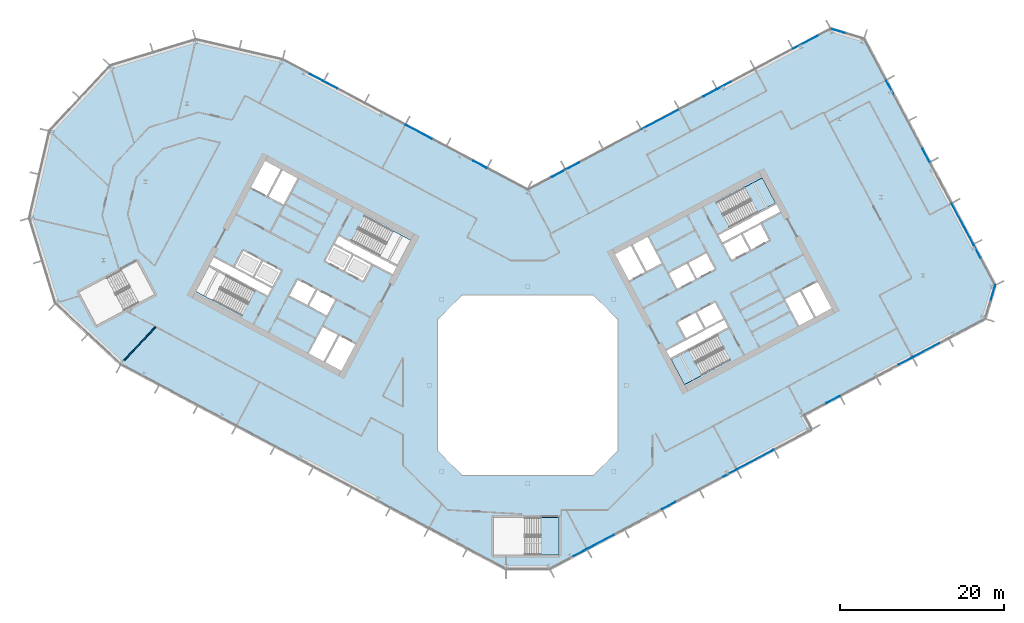
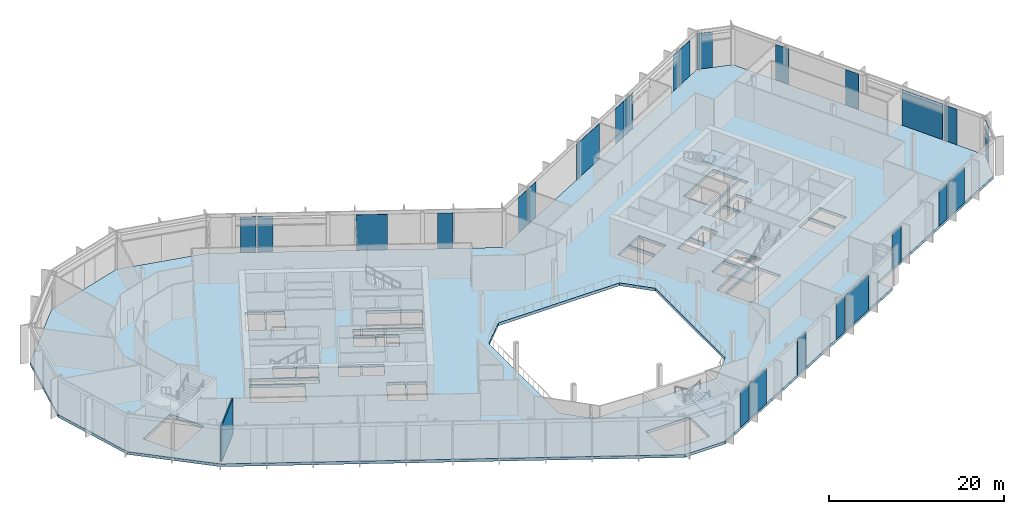
# One storey, part 12 of 31: 24 plates, 4 slabs, 1 wall, 10 elements without a shape of their own.
"""IFC4 building model written with IfcOpenShell, lengths in metres."""

from ifc_helpers import new_model, si_unit, direction, frame, frame_2d, origin, origin_2d, place, context, subcontext, project, spatial, polyline, rectangle, outline, extrude, material, layer, layer_set, type_object, element, aggregate, save


model = new_model("IFC4")

# Units and contexts
model_context = context("Model", 3, precision=1e-05, world=origin(), true_north=direction((0.0, 1.0)))
body_context = subcontext(model_context, "Body", "Model", "MODEL_VIEW")
ifc_project = project(units=[si_unit("LENGTHUNIT", "METRE"), si_unit("AREAUNIT", "SQUARE_METRE"), si_unit("VOLUMEUNIT", "CUBIC_METRE"), si_unit("PLANEANGLEUNIT", "RADIAN"), si_unit("MASSUNIT", "GRAM", prefix="KILO")], contexts=[model_context])

# Site, building, storey
site_placement = place(None, origin())
site = spatial("IfcSite", under=ifc_project, at=site_placement, CompositionType="ELEMENT")
building_placement = place(site_placement, origin())
building = spatial("IfcBuilding", under=site, at=building_placement, Name="Cormorant Relay Tower", CompositionType="ELEMENT")
storey_placement = place(building_placement, frame((0.0, 0.0, 178.199951171875)))
storey = spatial("IfcBuildingStorey", under=building, at=storey_placement, Name="L38", CompositionType="ELEMENT", Elevation=178.199951171875)

# Curtain wall, plates
ifc_material_1 = material(Name="Aluminium 6063-T6 anodised bronze", Category="aluminium")
ifc_layer_1 = layer(ifc_material_1, 0.199951171875)
ifc_layer_set_1 = layer_set([ifc_layer_1], Name="CW1 unitised bronze curtain wall with vertical fins")
curtain_wall_type = type_object("IfcCurtainWallType", Name="CW1 unitised bronze curtain wall with vertical fins", PredefinedType="NOTDEFINED", material=ifc_layer_set_1)
curtain_wall_1_placement = place(storey_placement, origin())
curtain_wall_1 = element("IfcCurtainWall", 1, at=curtain_wall_1_placement, inside=storey, type_object=curtain_wall_type, Name="CW1 curtain wall 2", PredefinedType="NOTDEFINED")
ifc_material_2 = material(Name="Tinted laminated glass", Category="glass")
ifc_layer_2 = layer(ifc_material_2, 0.0400390625)
ifc_layer_set_2 = layer_set([ifc_layer_2], Name="CW1 tinted vision panel 1800 module")
plate_type_1 = type_object("IfcPlateType", Name="CW1 tinted vision panel 1800 module", PredefinedType="CURTAIN_PANEL", material=ifc_layer_set_2)
plate_1_placement = place(storey_placement, frame((6.359130859375, -20.42529296875, 0.0), z_axis=(0.0, 0.0, 1.0), x_axis=(0.882947592859, 0.469471562786, 0.0)))
plate_1 = element("IfcPlate", 2, at=plate_1_placement, type_object=plate_type_1, Name="CW1 panel V01", PredefinedType="CURTAIN_PANEL", context=body_context, shape_type="SweptSolid", body=[
    extrude(rectangle(XDim=1.800048828125, YDim=0.0400390625, at=origin_2d()), origin(), (0.0, 0.0, 1.0), 4.949951171875),
])
plate_2_placement = place(storey_placement, frame((17.20458984375, -14.65869140625, 0.0), z_axis=(0.0, 0.0, 1.0), x_axis=(0.882947592859, 0.469471562786, 0.0)))
plate_2 = element("IfcPlate", 3, at=plate_2_placement, type_object=plate_type_1, Name="CW1 panel V04", PredefinedType="CURTAIN_PANEL", context=body_context, shape_type="SweptSolid", body=[
    extrude(rectangle(XDim=1.800048828125, YDim=0.0400390625, at=origin_2d()), origin(), (0.0, 0.0, 1.0), 4.949951171875),
])
plate_3_placement = place(storey_placement, frame((24.6064453125, -10.72314453125, 0.0), z_axis=(0.0, 0.0, 1.0), x_axis=(0.882947592859, 0.469471562786, 0.0)))
plate_3 = element("IfcPlate", 4, at=plate_3_placement, type_object=plate_type_1, Name="CW1 panel V06", PredefinedType="CURTAIN_PANEL", context=body_context, shape_type="SweptSolid", body=[
    extrude(rectangle(XDim=1.800048828125, YDim=0.0400390625, at=origin_2d()), origin(), (0.0, 0.0, 1.0), 4.949951171875),
])

curtain_wall_2_placement = place(storey_placement, origin())
curtain_wall_2 = element("IfcCurtainWall", 5, at=curtain_wall_2_placement, inside=storey, type_object=curtain_wall_type, Name="CW1 curtain wall 4", PredefinedType="NOTDEFINED")
plate_4_placement = place(storey_placement, frame((37.205810546875, -1.7587890625, 0.0), z_axis=(0.0, 0.0, 1.0), x_axis=(0.882947592859, 0.469471562786, 0.0)))
plate_4 = element("IfcPlate", 6, at=plate_4_placement, type_object=plate_type_1, Name="CW1 panel V01", PredefinedType="CURTAIN_PANEL", context=body_context, shape_type="SweptSolid", body=[
    extrude(rectangle(XDim=1.800048828125, YDim=0.0400390625, at=origin_2d()), origin(), (0.0, 0.0, 1.0), 4.949951171875),
])
plate_5_placement = place(storey_placement, frame((46.03515625, 2.935791015625, 0.0), z_axis=(0.0, 0.0, 1.0), x_axis=(0.882947592859, 0.469471562786, 0.0)))
plate_5 = element("IfcPlate", 7, at=plate_5_placement, type_object=plate_type_1, Name="CW1 panel V03", PredefinedType="CURTAIN_PANEL", context=body_context, shape_type="SweptSolid", body=[
    extrude(rectangle(XDim=1.800048828125, YDim=0.0400390625, at=origin_2d()), origin(), (0.0, 0.0, 1.0), 4.949951171875),
])

# Curtain wall, plate
curtain_wall_3_placement = place(storey_placement, origin())
curtain_wall_3 = element("IfcCurtainWall", 8, at=curtain_wall_3_placement, inside=storey, type_object=curtain_wall_type, Name="CW1 curtain wall 5", PredefinedType="NOTDEFINED")
plate_6_placement = place(storey_placement, frame((56.712646484375, 11.296630859375, 0.0), z_axis=(0.0, 0.0, 1.0), x_axis=(0.292371704723, 0.956304755963, 0.0)))
plate_6 = element("IfcPlate", 9, at=plate_6_placement, type_object=plate_type_1, Name="CW1 panel V01", PredefinedType="CURTAIN_PANEL", context=body_context, shape_type="SweptSolid", body=[
    extrude(rectangle(XDim=1.800048828125, YDim=0.0400390625, at=origin_2d()), origin(), (0.0, 0.0, 1.0), 4.949951171875),
])
aggregate(curtain_wall_3, [plate_6])

# Curtain wall, plates
curtain_wall_4_placement = place(storey_placement, origin())
curtain_wall_4 = element("IfcCurtainWall", 10, at=curtain_wall_4_placement, inside=storey, type_object=curtain_wall_type, Name="CW1 curtain wall 6", PredefinedType="NOTDEFINED")
plate_7_placement = place(storey_placement, frame((54.771728515625, 16.315185546875, 0.0), z_axis=(0.0, 0.0, 1.0), x_axis=(-0.469471562786, 0.882947592859, 0.0)))
plate_7 = element("IfcPlate", 11, at=plate_7_placement, type_object=plate_type_1, Name="CW1 panel V01", PredefinedType="CURTAIN_PANEL", context=body_context, shape_type="SweptSolid", body=[
    extrude(rectangle(XDim=1.800048828125, YDim=0.0400390625, at=origin_2d()), origin(), (0.0, 0.0, 1.0), 4.949951171875),
])
plate_8_placement = place(storey_placement, frame((48.535400390625, 28.043701171875, 0.0), z_axis=(0.0, 0.0, 1.0), x_axis=(-0.469471562786, 0.882947592859, 0.0)))
plate_8 = element("IfcPlate", 12, at=plate_8_placement, type_object=plate_type_1, Name="CW1 panel V04", PredefinedType="CURTAIN_PANEL", context=body_context, shape_type="SweptSolid", body=[
    extrude(rectangle(XDim=1.800048828125, YDim=0.0400390625, at=origin_2d()), origin(), (0.0, 0.0, 1.0), 4.949951171875),
])
plate_9_placement = place(storey_placement, frame((44.13037109375, 36.32861328125, 0.0), z_axis=(0.0, 0.0, 1.0), x_axis=(-0.469471562786, 0.882947592859, 0.0)))
plate_9 = element("IfcPlate", 13, at=plate_9_placement, type_object=plate_type_1, Name="CW1 panel V06", PredefinedType="CURTAIN_PANEL", context=body_context, shape_type="SweptSolid", body=[
    extrude(rectangle(XDim=1.800048828125, YDim=0.0400390625, at=origin_2d()), origin(), (0.0, 0.0, 1.0), 4.949951171875),
])

# Curtain wall, plate
curtain_wall_5_placement = place(storey_placement, origin())
curtain_wall_5 = element("IfcCurtainWall", 14, at=curtain_wall_5_placement, inside=storey, type_object=curtain_wall_type, Name="CW1 curtain wall 7", PredefinedType="NOTDEFINED")
plate_10_placement = place(storey_placement, frame((37.8037109375, 43.179931640625, 0.0), z_axis=(0.0, 0.0, 1.0), x_axis=(-0.956304755963, 0.292371704723, 0.0)))
plate_10 = element("IfcPlate", 15, at=plate_10_placement, type_object=plate_type_1, Name="CW1 panel V01", PredefinedType="CURTAIN_PANEL", context=body_context, shape_type="SweptSolid", body=[
    extrude(rectangle(XDim=1.800048828125, YDim=0.0400390625, at=origin_2d()), origin(), (0.0, 0.0, 1.0), 4.949951171875),
])
aggregate(curtain_wall_5, [plate_10])

# Curtain wall, plates
curtain_wall_6_placement = place(storey_placement, origin())
curtain_wall_6 = element("IfcCurtainWall", 16, at=curtain_wall_6_placement, inside=storey, type_object=curtain_wall_type, Name="CW1 curtain wall 8", PredefinedType="NOTDEFINED")
plate_11_placement = place(storey_placement, frame((23.937255859375, 36.5341796875, 0.0), z_axis=(0.0, 0.0, 1.0), x_axis=(-0.882947592859, -0.469471562786, 0.0)))
plate_11 = element("IfcPlate", 17, at=plate_11_placement, type_object=plate_type_1, Name="CW1 panel V03", PredefinedType="CURTAIN_PANEL", context=body_context, shape_type="SweptSolid", body=[
    extrude(rectangle(XDim=1.800048828125, YDim=0.0400390625, at=origin_2d()), origin(), (0.0, 0.0, 1.0), 4.949951171875),
])
plate_12_placement = place(storey_placement, frame((22.215576171875, 35.618896484375, 0.0), z_axis=(0.0, 0.0, 1.0), x_axis=(-0.882947592859, -0.469471562786, 0.0)))
plate_12 = element("IfcPlate", 18, at=plate_12_placement, type_object=plate_type_1, Name="CW1 panel V04", PredefinedType="CURTAIN_PANEL", context=body_context, shape_type="SweptSolid", body=[
    extrude(rectangle(XDim=1.800048828125, YDim=0.0400390625, at=origin_2d()), origin(), (0.0, 0.0, 1.0), 4.949951171875),
])
plate_13_placement = place(storey_placement, frame((5.468505859375, 26.71435546875, 0.0), z_axis=(0.0, 0.0, 1.0), x_axis=(-0.882947592859, -0.469471562786, 0.0)))
plate_13 = element("IfcPlate", 19, at=plate_13_placement, type_object=plate_type_1, Name="CW1 panel V08", PredefinedType="CURTAIN_PANEL", context=body_context, shape_type="SweptSolid", body=[
    extrude(rectangle(XDim=1.800048828125, YDim=0.0400390625, at=origin_2d()), origin(), (0.0, 0.0, 1.0), 4.949951171875),
])
plate_14_placement = place(storey_placement, frame((3.746826171875, 25.798828125, 0.0), z_axis=(0.0, 0.0, 1.0), x_axis=(-0.882947592859, -0.469471562786, 0.0)))
plate_14 = element("IfcPlate", 20, at=plate_14_placement, type_object=plate_type_1, Name="CW1 panel V09", PredefinedType="CURTAIN_PANEL", context=body_context, shape_type="SweptSolid", body=[
    extrude(rectangle(XDim=1.800048828125, YDim=0.0400390625, at=origin_2d()), origin(), (0.0, 0.0, 1.0), 4.949951171875),
])

curtain_wall_7_placement = place(storey_placement, origin())
curtain_wall_7 = element("IfcCurtainWall", 21, at=curtain_wall_7_placement, inside=storey, type_object=curtain_wall_type, Name="CW1 curtain wall 9", PredefinedType="NOTDEFINED")
plate_15_placement = place(storey_placement, frame((-5.830322265625, 26.90673828125, 0.0), z_axis=(0.0, 0.0, 1.0), x_axis=(-0.882947592859, 0.469471562786, 0.0)))
plate_15 = element("IfcPlate", 22, at=plate_15_placement, type_object=plate_type_1, Name="CW1 panel V01", PredefinedType="CURTAIN_PANEL", context=body_context, shape_type="SweptSolid", body=[
    extrude(rectangle(XDim=1.800048828125, YDim=0.0400390625, at=origin_2d()), origin(), (0.0, 0.0, 1.0), 4.949951171875),
])
plate_16_placement = place(storey_placement, frame((-24.0244140625, 36.580810546875, 0.0), z_axis=(0.0, 0.0, 1.0), x_axis=(-0.882947592859, 0.469471562786, 0.0)))
plate_16 = element("IfcPlate", 23, at=plate_16_placement, type_object=plate_type_1, Name="CW1 panel V05", PredefinedType="CURTAIN_PANEL", context=body_context, shape_type="SweptSolid", body=[
    extrude(rectangle(XDim=1.800048828125, YDim=0.0400390625, at=origin_2d()), origin(), (0.0, 0.0, 1.0), 4.949951171875),
])
plate_17_placement = place(storey_placement, frame((-25.746337890625, 37.49609375, 0.0), z_axis=(0.0, 0.0, 1.0), x_axis=(-0.882947592859, 0.469471562786, 0.0)))
plate_17 = element("IfcPlate", 24, at=plate_17_placement, type_object=plate_type_1, Name="CW1 panel V06", PredefinedType="CURTAIN_PANEL", context=body_context, shape_type="SweptSolid", body=[
    extrude(rectangle(XDim=1.800048828125, YDim=0.0400390625, at=origin_2d()), origin(), (0.0, 0.0, 1.0), 4.949951171875),
])

# Plate
ifc_material_3 = material(Name="Tinted laminated glass", Category="glass")
ifc_layer_3 = layer(ifc_material_3, 0.0400390625)
ifc_layer_set_3 = layer_set([ifc_layer_3], Name="CW1 tinted vision panel 3600 module")
plate_type_2 = type_object("IfcPlateType", Name="CW1 tinted vision panel 3600 module", PredefinedType="CURTAIN_PANEL", material=ifc_layer_set_3)
plate_18_placement = place(storey_placement, frame((8.87548828125, -19.08740234375, 0.0), z_axis=(0.0, 0.0, 1.0), x_axis=(0.882947592859, 0.469471562786, 0.0)))
plate_18 = element("IfcPlate", 25, at=plate_18_placement, type_object=plate_type_2, Name="CW1 panel V02", PredefinedType="CURTAIN_PANEL", context=body_context, shape_type="SweptSolid", body=[
    extrude(rectangle(XDim=3.60009765625, YDim=0.0400390625, at=origin_2d()), origin(), (0.0, 0.0, 1.0), 4.949951171875),
])

plate_19_placement = place(storey_placement, frame((48.551513671875, 4.27392578125, 0.0), z_axis=(0.0, 0.0, 1.0), x_axis=(0.882947592859, 0.469471562786, 0.0)))
plate_19 = element("IfcPlate", 26, at=plate_19_placement, type_object=plate_type_2, Name="CW1 panel V04", PredefinedType="CURTAIN_PANEL", context=body_context, shape_type="SweptSolid", body=[
    extrude(rectangle(XDim=3.60009765625, YDim=0.0400390625, at=origin_2d()), origin(), (0.0, 0.0, 1.0), 4.949951171875),
])

aggregate(curtain_wall_2, [plate_4, plate_5, plate_19])

plate_20_placement = place(storey_placement, frame((33.96630859375, 41.86669921875, 0.0), z_axis=(0.0, 0.0, 1.0), x_axis=(-0.882947592859, -0.469471562786, 0.0)))
plate_20 = element("IfcPlate", 27, at=plate_20_placement, type_object=plate_type_2, Name="CW1 panel V01", PredefinedType="CURTAIN_PANEL", context=body_context, shape_type="SweptSolid", body=[
    extrude(rectangle(XDim=3.60009765625, YDim=0.0400390625, at=origin_2d()), origin(), (0.0, 0.0, 1.0), 4.949951171875),
])

plate_21_placement = place(storey_placement, frame((-13.27197265625, 30.86328125, 0.0), z_axis=(0.0, 0.0, 1.0), x_axis=(-0.882947592859, 0.469471562786, 0.0)))
plate_21 = element("IfcPlate", 28, at=plate_21_placement, type_object=plate_type_2, Name="CW1 panel V03", PredefinedType="CURTAIN_PANEL", context=body_context, shape_type="SweptSolid", body=[
    extrude(rectangle(XDim=3.60009765625, YDim=0.0400390625, at=origin_2d()), origin(), (0.0, 0.0, 1.0), 4.949951171875),
])

aggregate(curtain_wall_7, [plate_15, plate_21, plate_16, plate_17])

ifc_material_4 = material(Name="Tinted laminated glass", Category="glass")
ifc_layer_4 = layer(ifc_material_4, 0.0400390625)
ifc_layer_set_4 = layer_set([ifc_layer_4], Name="CW1 tinted vision panel 5400 module")
plate_type_3 = type_object("IfcPlateType", Name="CW1 tinted vision panel 5400 module", PredefinedType="CURTAIN_PANEL", material=ifc_layer_set_4)
plate_22_placement = place(storey_placement, frame((27.748046875, -9.052734375, 0.0), z_axis=(0.0, 0.0, 1.0), x_axis=(0.882947592859, 0.469471562786, 0.0)))
plate_22 = element("IfcPlate", 29, at=plate_22_placement, type_object=plate_type_3, Name="CW1 panel V07", PredefinedType="CURTAIN_PANEL", context=body_context, shape_type="SweptSolid", body=[
    extrude(rectangle(XDim=5.0166015625, YDim=0.0400390625, at=origin_2d()), origin(), (0.0, 0.0, 1.0), 4.949951171875),
])

aggregate(curtain_wall_1, [plate_1, plate_18, plate_2, plate_3, plate_22])

plate_23_placement = place(storey_placement, frame((52.98388671875, 19.677734375, 0.0), z_axis=(0.0, 0.0, 1.0), x_axis=(-0.469471562786, 0.882947592859, 0.0)))
plate_23 = element("IfcPlate", 30, at=plate_23_placement, type_object=plate_type_3, Name="CW1 panel V02", PredefinedType="CURTAIN_PANEL", context=body_context, shape_type="SweptSolid", body=[
    extrude(rectangle(XDim=5.5166015625, YDim=0.0400390625, at=origin_2d()), origin(), (0.0, 0.0, 1.0), 4.949951171875),
])

aggregate(curtain_wall_4, [plate_7, plate_23, plate_8, plate_9])

plate_24_placement = place(storey_placement, frame((16.150634765625, 32.39404296875, 0.0), z_axis=(0.0, 0.0, 1.0), x_axis=(-0.882947592859, -0.469471562786, 0.0)))
plate_24 = element("IfcPlate", 31, at=plate_24_placement, type_object=plate_type_3, Name="CW1 panel V06", PredefinedType="CURTAIN_PANEL", context=body_context, shape_type="SweptSolid", body=[
    extrude(rectangle(XDim=5.079345703125, YDim=0.0400390625, at=origin_2d()), origin(), (0.0, 0.0, 1.0), 4.949951171875),
])

aggregate(curtain_wall_6, [plate_20, plate_11, plate_12, plate_24, plate_13, plate_14])

# Stair, slab
ifc_material_5 = material(Name="Concrete 40 MPa", Category="concrete")
stair_type_1 = type_object("IfcStairType", Name="Exit stair 1500", PredefinedType="HALF_TURN_STAIR", material=ifc_material_5)
stair_1_placement = place(storey_placement, origin())
stair_1 = element("IfcStair", 32, at=stair_1_placement, inside=storey, type_object=stair_type_1, Name="L38 Stair", PredefinedType="HALF_TURN_STAIR")
ifc_material_6 = material(Name="Concrete 40 MPa", Category="concrete")
ifc_layer_5 = layer(ifc_material_6, 0.199951171875)
ifc_layer_set_5 = layer_set([ifc_layer_5], Name="Exit stair landing 200")
slab_type_1 = type_object("IfcSlabType", Name="Exit stair landing 200", PredefinedType="LANDING", material=ifc_layer_set_5)
slab_1_placement = place(storey_placement, frame((0.0, 0.0, 2.5)))
slab_1 = element("IfcSlab", 33, at=slab_1_placement, type_object=slab_type_1, Name="B1 landing 1", PredefinedType="LANDING", context=body_context, shape_type="SweptSolid", body=[
    extrude(outline(polyline([(19.6259765625, 4.262939453125), (17.48046875, 3.1220703125), (19.10009765625, 0.075927734375), (21.24560546875, 1.216552734375), (19.6259765625, 4.262939453125)])), origin(), (0.0, 0.0, 1.0), 0.199951171875),
])
aggregate(stair_1, [slab_1])

stair_2_placement = place(storey_placement, origin())
stair_2 = element("IfcStair", 34, at=stair_2_placement, inside=storey, type_object=stair_type_1, Name="L38 Stair", PredefinedType="HALF_TURN_STAIR")
slab_2_placement = place(storey_placement, frame((0.0, 0.0, 2.5)))
slab_2 = element("IfcSlab", 35, at=slab_2_placement, type_object=slab_type_1, Name="B2 landing 1", PredefinedType="LANDING", context=body_context, shape_type="SweptSolid", body=[
    extrude(outline(polyline([(28.05322265625, 21.088623046875), (30.19873046875, 22.2294921875), (28.5791015625, 25.275634765625), (26.43359375, 24.134765625), (28.05322265625, 21.088623046875)])), origin(), (0.0, 0.0, 1.0), 0.199951171875),
])
aggregate(stair_2, [slab_2])

ifc_material_7 = material(Name="Concrete 40 MPa", Category="concrete")
stair_type_2 = type_object("IfcStairType", Name="Remote exit stair 2200", PredefinedType="HALF_TURN_STAIR", material=ifc_material_7)
stair_3_placement = place(storey_placement, origin())
stair_3 = element("IfcStair", 36, at=stair_3_placement, inside=storey, type_object=stair_type_2, Name="L38 Stair", PredefinedType="HALF_TURN_STAIR")
slab_3_placement = place(storey_placement, frame((0.0, 0.0, 2.5)))
slab_3 = element("IfcSlab", 37, at=slab_3_placement, type_object=slab_type_1, Name="RK1 landing 2", PredefinedType="LANDING", context=body_context, shape_type="SweptSolid", body=[
    extrude(outline(polyline([(3.800048828125, -16.125), (1.60009765625, -16.125), (1.60009765625, -20.675048828125), (3.800048828125, -20.675048828125), (3.800048828125, -16.125)])), origin(), (0.0, 0.0, 1.0), 0.199951171875),
])
aggregate(stair_3, [slab_3])

# Slab
ifc_material_8 = material(Name="Concrete 40 MPa", Category="concrete")
ifc_layer_6 = layer(ifc_material_8, 0.39990234375)
ifc_layer_set_6 = layer_set([ifc_layer_6], Name="Flat plate 400")
slab_type_2 = type_object("IfcSlabType", Name="Flat plate 400", PredefinedType="FLOOR", material=ifc_layer_set_6)
slab_4_placement = place(storey_placement, frame((0.0, 0.0, -0.39990234375)))
element("IfcSlab", 38, at=slab_4_placement, inside=storey, type_object=slab_type_2, Name="Floor slab L38", PredefinedType="FLOOR", context=body_context, shape_type="SweptSolid", body=[
    extrude(outline(polyline([(-60.7197265625, 20.393310546875), (-58.2744140625, 30.985107421875), (-50.86083984375, 38.935302734375), (-40.465576171875, 42.11328125), (-29.873779296875, 39.668212890625), (0.0, 23.783935546875), (36.937255859375, 43.423828125), (40.99462890625, 42.18359375), (56.95654296875, 12.1630859375), (55.71630859375, 8.10595703125), (33.642578125, -3.630859375), (34.581298828125, -5.396728515625), (2.648681640625, -22.37548828125), (-2.648681640625, -22.37548828125), (-49.591552734375, 2.584228515625), (-57.541748046875, 9.997802734375), (-60.7197265625, 20.393310546875)]), holes=[polyline([(11.0, -8.0), (11.0, 8.0), (8.0, 11.0), (-8.0, 11.0), (-11.0, 8.0), (-11.0, -8.0), (-8.0, -11.0), (8.0, -11.0), (11.0, -8.0)]), polyline([(-22.95458984375, 6.03271484375), (-24.668212890625, 2.81005859375), (-22.725830078125, 1.777099609375), (-21.01220703125, 5.0), (-23.04296875, 6.07958984375), (-22.95458984375, 6.03271484375)]), polyline([(-24.985595703125, 7.112548828125), (-26.69921875, 3.889892578125), (-24.844970703125, 2.90380859375), (-23.13134765625, 6.126708984375), (-23.04296875, 6.07958984375), (-24.985595703125, 7.112548828125)]), polyline([(-25.656005859375, 11.602783203125), (-26.688720703125, 9.660400390625), (-24.481201171875, 8.48681640625), (-23.448486328125, 10.42919921875), (-25.656005859375, 11.602783203125)]), polyline([(-49.57861328125, 14.0537109375), (-54.69970703125, 11.330810546875), (-52.563720703125, 7.3134765625), (-47.442626953125, 10.036376953125), (-49.57861328125, 14.0537109375)]), polyline([(-28.039794921875, 12.870361328125), (-29.07275390625, 10.927978515625), (-26.865234375, 9.75439453125), (-25.83251953125, 11.69677734375), (-28.039794921875, 12.870361328125)]), polyline([(-33.240966796875, 11.502197265625), (-38.847900390625, 14.483154296875), (-40.46728515625, 11.43701171875), (-34.860595703125, 8.455810546875), (-33.240966796875, 11.502197265625)]), polyline([(-38.260986328125, 15.5869140625), (-38.75390625, 14.659912109375), (-31.690185546875, 10.904052734375), (-31.197265625, 11.8310546875), (-38.260986328125, 15.5869140625)]), polyline([(-33.310791015625, 13.181396484375), (-31.103515625, 12.0078125), (-30.070556640625, 13.9501953125), (-32.278076171875, 15.123779296875), (-33.310791015625, 13.181396484375)]), polyline([(-22.2880859375, 13.889404296875), (-20.080810546875, 12.7158203125), (-19.048095703125, 14.658203125), (-21.25537109375, 15.831787109375), (-22.2880859375, 13.889404296875)]), polyline([(-34.661865234375, 16.3916015625), (-35.69482421875, 14.448974609375), (-33.4873046875, 13.275390625), (-32.45458984375, 15.2177734375), (-34.661865234375, 16.3916015625)]), polyline([(-24.672119140625, 15.156982421875), (-22.46484375, 13.9833984375), (-21.431884765625, 15.92578125), (-23.639404296875, 17.099609375), (-24.672119140625, 15.156982421875)]), polyline([(-16.481689453125, 13.520263671875), (-15.989013671875, 14.447509765625), (-23.052490234375, 18.203125), (-23.54541015625, 17.276123046875), (-16.481689453125, 13.520263671875)]), polyline([(-21.501708984375, 17.605224609375), (-15.89501953125, 14.6240234375), (-14.275390625, 17.670166015625), (-19.882080078125, 20.6513671875), (-21.501708984375, 17.605224609375)]), polyline([(-31.611572265625, 22.980712890625), (-29.75732421875, 21.99462890625), (-28.043701171875, 25.217529296875), (-29.89794921875, 26.203369140625), (-31.611572265625, 22.980712890625)]), polyline([(-32.01708984375, 27.330078125), (-33.73046875, 24.107421875), (-31.7880859375, 23.074462890625), (-30.074462890625, 26.29736328125), (-32.01708984375, 27.330078125)]), polyline([(-4.199951171875, -16.125), (-4.199951171875, -20.675048828125), (1.60009765625, -20.675048828125), (1.60009765625, -16.125), (-4.199951171875, -16.125)]), polyline([(23.087158203125, 6.10302734375), (17.48046875, 3.1220703125), (19.10009765625, 0.07568359375), (24.706787109375, 3.056884765625), (23.087158203125, 6.10302734375)]), polyline([(16.8935546875, 4.2255859375), (17.386474609375, 3.298583984375), (24.4501953125, 7.054443359375), (23.957275390625, 7.9814453125), (16.8935546875, 4.2255859375)]), polyline([(20.446533203125, 8.8330078125), (18.239013671875, 7.6591796875), (19.27197265625, 5.716796875), (21.479248046875, 6.890380859375), (20.446533203125, 8.8330078125)]), polyline([(22.830322265625, 10.1005859375), (20.623046875, 8.927001953125), (21.656005859375, 6.984375), (23.86328125, 8.158203125), (22.830322265625, 10.1005859375)]), polyline([(33.197021484375, 11.478515625), (31.3427734375, 10.49267578125), (33.056396484375, 7.27001953125), (34.910400390625, 8.255859375), (33.197021484375, 11.478515625)]), polyline([(33.37353515625, 11.572509765625), (35.087158203125, 8.349609375), (37.029541015625, 9.382568359375), (35.31591796875, 12.605224609375), (33.37353515625, 11.572509765625)]), polyline([(20.43408203125, 12.903564453125), (19.401123046875, 14.84619140625), (17.19384765625, 13.67236328125), (18.2265625, 11.72998046875), (20.43408203125, 12.903564453125)]), polyline([(22.81787109375, 14.171142578125), (21.78515625, 16.113525390625), (19.57763671875, 14.93994140625), (20.610595703125, 12.99755859375), (22.81787109375, 14.171142578125)]), polyline([(14.3056640625, 13.779052734375), (12.592041015625, 17.001708984375), (10.649658203125, 15.968994140625), (12.36328125, 12.74609375), (14.39404296875, 13.825927734375), (14.3056640625, 13.779052734375)]), polyline([(16.33642578125, 14.85888671875), (14.622802734375, 18.08154296875), (12.768798828125, 17.095703125), (14.482421875, 13.872802734375), (14.39404296875, 13.825927734375), (16.33642578125, 14.85888671875)]), polyline([(26.023193359375, 18.3671875), (23.81591796875, 17.193359375), (24.8486328125, 15.2509765625), (27.05615234375, 16.424560546875), (26.023193359375, 18.3671875)]), polyline([(29.440185546875, 17.692138671875), (28.4072265625, 19.634765625), (26.19970703125, 18.4609375), (27.232666015625, 16.5185546875), (29.440185546875, 17.692138671875)]), polyline([(30.78564453125, 21.125732421875), (30.29248046875, 22.052978515625), (23.22900390625, 18.297119140625), (23.721923828125, 17.3701171875), (30.78564453125, 21.125732421875)]), polyline([(24.592041015625, 19.248291015625), (30.19873046875, 22.2294921875), (28.5791015625, 25.275634765625), (22.972412109375, 22.29443359375), (24.592041015625, 19.248291015625)])]), origin(), (0.0, 0.0, 1.0), 0.39990234375),
])

# Wall
ifc_material_9 = material(Name="Gypsum board partition")
ifc_layer_7 = layer(ifc_material_9, 0.14990234375)
ifc_layer_set_7 = layer_set([ifc_layer_7], Name="Tenant partition 150")
wall_type = type_object("IfcWallType", Name="Tenant partition 150", PredefinedType="PARTITIONING", material=ifc_layer_set_7)
wall_placement = place(storey_placement, frame((-45.35498046875, 7.126953125, 0.0), z_axis=(0.0, 0.0, 1.0), x_axis=(-0.682061918603, -0.731294427158, 0.0)))
element("IfcWall", 39, at=wall_placement, inside=storey, type_object=wall_type, Name="wall/L38/part/010", PredefinedType="PARTITIONING", context=body_context, shape_type="SweptSolid", body=[
    extrude(rectangle(XDim=5.66796875, YDim=0.14990234375, at=frame_2d((2.833984375, 0.0))), origin(), (0.0, 0.0, 1.0), 4.949951171875),
])

save(model, "model.ifc")
